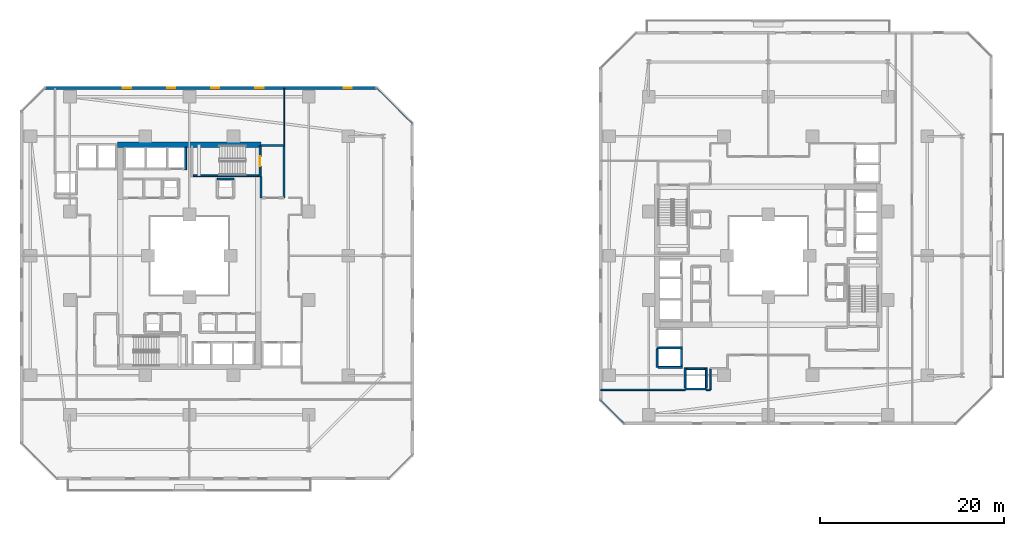
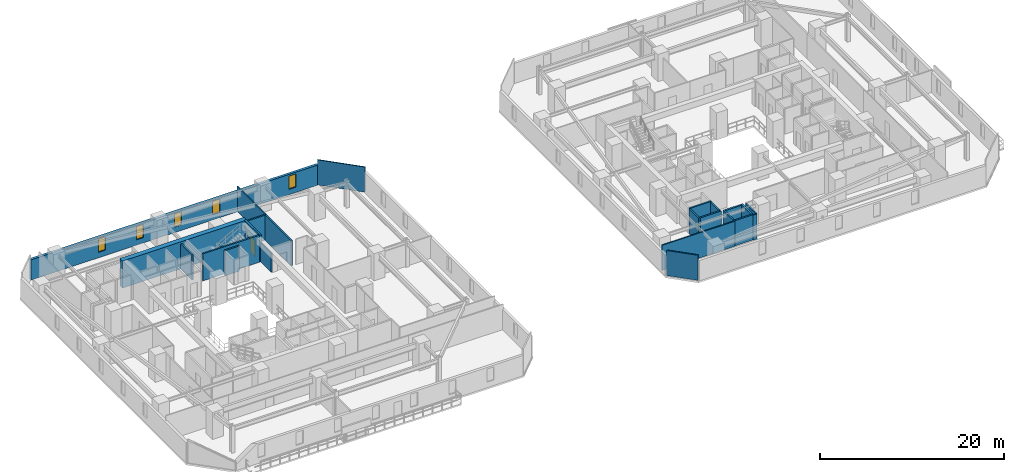
# One storey, part 23 of 34: 23 walls, 5 windows, 1 door, 6 openings.
"""IFC4 building model written with IfcOpenShell, lengths in metres."""

from ifc_helpers import new_model, si_unit, direction, frame, frame_2d, origin, place, context, subcontext, project, spatial, rectangle, extrude, material, layer, layer_set, type_object, element, fill, save


model = new_model("IFC4")

# Units and contexts
model_context = context("Model", 3, precision=1e-05, world=origin(), true_north=direction((0.0, 1.0)))
body_context = subcontext(model_context, "Body", "Model", "MODEL_VIEW")
ifc_project = project(units=[si_unit("LENGTHUNIT", "METRE"), si_unit("AREAUNIT", "SQUARE_METRE"), si_unit("VOLUMEUNIT", "CUBIC_METRE"), si_unit("PLANEANGLEUNIT", "RADIAN"), si_unit("MASSUNIT", "GRAM", prefix="KILO")], contexts=[model_context])

# Site, building, storey
site_placement = place(None, origin())
site = spatial("IfcSite", under=ifc_project, at=site_placement, CompositionType="ELEMENT")
building_placement = place(site_placement, origin())
building = spatial("IfcBuilding", under=site, at=building_placement, Name="Thornwick Lancets Civic Towers", CompositionType="ELEMENT")
storey_placement = place(building_placement, frame((0.0, 0.0, 53.699951171875)))
storey = spatial("IfcBuildingStorey", under=building, at=storey_placement, Name="L13", CompositionType="ELEMENT", Elevation=53.699951171875)

# Walls
ifc_material_1 = material(Name="Concrete blockwork C40/50", Category="masonry")
ifc_layer_1 = layer(ifc_material_1, 0.199951171875, Name="Concrete blockwork C40/50")
ifc_layer_set_1 = layer_set([ifc_layer_1], Name="Concrete blockwork C40/50")
wall_type_1 = type_object("IfcWallType", Name="WALL_COMP_200", PredefinedType="STANDARD", material=ifc_layer_set_1)
wall_1_placement = place(storey_placement, frame((79.050048828125, 15.030029296875, 0.0), z_axis=(0.0, 0.0, 1.0), x_axis=(0.0, 1.0, 0.0)))
element("IfcWall", 1, at=wall_1_placement, inside=storey, type_object=wall_type_1, Name="L13 Hoistway Front Wall PL-BM2", PredefinedType="STANDARD", context=body_context, shape_type="SweptSolid", body=[
    extrude(rectangle(XDim=1.7900390625, YDim=0.199951171875, at=frame_2d((0.89501953125, 0.0))), origin(), (0.0, 0.0, 1.0), 3.340087890625),
])
wall_2_placement = place(storey_placement, frame((79.6298828125, 14.699951171875, 0.0), z_axis=(0.0, 0.0, 1.0), x_axis=(1.0, 0.0, 0.0)))
element("IfcWall", 2, at=wall_2_placement, inside=storey, type_object=wall_type_1, Name="L13 Hoistway Front Wall PL-BM3", PredefinedType="STANDARD", context=body_context, shape_type="SweptSolid", body=[
    extrude(rectangle(XDim=1.940185546875, YDim=0.199951171875, at=frame_2d((0.97021484375, 0.0))), origin(), (0.0, 0.0, 1.0), 3.340087890625),
])
wall_3_placement = place(storey_placement, frame((25.10009765625, 36.35205078125, 0.0), z_axis=(0.0, 0.0, 1.0), x_axis=(0.0, 1.0, 0.0)))
element("IfcWall", 3, at=wall_3_placement, inside=storey, type_object=wall_type_1, Name="L13 Hoistway Shaft Wall FL-A2 E", PredefinedType="STANDARD", context=body_context, shape_type="SweptSolid", body=[
    extrude(rectangle(XDim=2.43603515625, YDim=0.199951171875, at=frame_2d((1.218017578125, 0.0))), origin(), (0.0, 0.0, 1.0), 3.340087890625),
])
wall_4_placement = place(storey_placement, frame((76.402099609375, 16.97509765625, 0.0), z_axis=(0.0, 0.0, 1.0), x_axis=(1.0, 0.0, 0.0)))
element("IfcWall", 4, at=wall_4_placement, inside=storey, type_object=wall_type_1, Name="L13 Hoistway Shaft Wall PL-BM1 S", PredefinedType="STANDARD", context=body_context, shape_type="SweptSolid", body=[
    extrude(rectangle(XDim=2.745849609375, YDim=0.199951171875, at=frame_2d((1.373046875, 0.0))), origin(), (0.0, 0.0, 1.0), 3.340087890625),
])
wall_5_placement = place(storey_placement, frame((76.39990234375, 14.85205078125, 0.0), z_axis=(0.0, 0.0, 1.0), x_axis=(0.0, 1.0, 0.0)))
element("IfcWall", 5, at=wall_5_placement, inside=storey, type_object=wall_type_1, Name="L13 Hoistway Shaft Wall PL-BM1 W", PredefinedType="STANDARD", context=body_context, shape_type="SweptSolid", body=[
    extrude(rectangle(XDim=2.015869140625, YDim=0.199951171875, at=frame_2d((1.0078125, 0.0))), origin(), (0.0, 0.0, 1.0), 3.340087890625),
])
wall_6_placement = place(storey_placement, frame((76.511962890625, 14.85009765625, 0.0), z_axis=(0.0, 0.0, 1.0), x_axis=(1.0, 0.0, 0.0)))
element("IfcWall", 6, at=wall_6_placement, inside=storey, type_object=wall_type_1, Name="L13 Hoistway Shaft Wall PL-BM2 S", PredefinedType="STANDARD", context=body_context, shape_type="SweptSolid", body=[
    extrude(rectangle(XDim=2.635986328125, YDim=0.199951171875, at=frame_2d((1.31787109375, 0.0))), origin(), (0.0, 0.0, 1.0), 3.340087890625),
])
wall_7_placement = place(storey_placement, frame((79.451904296875, 12.5, 0.0), z_axis=(0.0, 0.0, 1.0), x_axis=(1.0, 0.0, 0.0)))
element("IfcWall", 7, at=wall_7_placement, inside=storey, type_object=wall_type_1, Name="L13 Hoistway Shaft Wall PL-BM3 S", PredefinedType="STANDARD", context=body_context, shape_type="SweptSolid", body=[
    extrude(rectangle(XDim=2.296142578125, YDim=0.199951171875, at=frame_2d((1.14794921875, 0.0))), origin(), (0.0, 0.0, 1.0), 3.340087890625),
])
for number, where, z_axis, x_axis, name in (
    (8, (81.75, 12.612060546875, 0.0), (0.0, 0.0, 1.0), (0.0, 1.0, 0.0), "L13 Hoistway Shaft Wall PL-BM3 E"),
    (9, (79.449951171875, 12.612060546875, 0.0), (0.0, 0.0, 1.0), (0.0, 1.0, 0.0), "L13 Hoistway Shaft Wall PL-BM3 W"),
):
    element("IfcWall", number, at=place(storey_placement, frame(where, z_axis=z_axis, x_axis=x_axis)), inside=storey, type_object=wall_type_1, Name=name, PredefinedType="STANDARD", context=body_context, shape_type="SweptSolid", body=[
        extrude(rectangle(XDim=2.18603515625, YDim=0.199951171875, at=frame_2d((1.093017578125, 0.0))), origin(), (0.0, 0.0, 1.0), 3.340087890625),
    ])
wall_8_placement = place(storey_placement, frame((35.800048828125, 33.300048828125, 0.0), z_axis=(0.0, 0.0, 1.0), x_axis=(0.0, 1.0, 0.0)))
element("IfcWall", 10, at=wall_8_placement, inside=storey, type_object=wall_type_1, Name="L13 Partition L13-A-FFLOB2 E2", PredefinedType="STANDARD", context=body_context, shape_type="SweptSolid", body=[
    extrude(rectangle(XDim=5.699951171875, YDim=0.199951171875, at=frame_2d((2.85009765625, 0.0))), origin(), (0.0, 0.0, 1.0), 3.340087890625),
])
wall_9_placement = place(storey_placement, frame((35.800048828125, 39.0, 0.0), z_axis=(0.0, 0.0, 1.0), x_axis=(-1.0, 0.0, 0.0)))
element("IfcWall", 11, at=wall_9_placement, inside=storey, type_object=wall_type_1, Name="L13 Partition L13-A-FFLOB2 E3", PredefinedType="STANDARD", context=body_context, shape_type="SweptSolid", body=[
    extrude(rectangle(XDim=2.5, YDim=0.199951171875, at=frame_2d((1.25, 0.0))), origin(), (0.0, 0.0, 1.0), 3.340087890625),
])
wall_10_placement = place(storey_placement, frame((33.300048828125, 35.60009765625, 0.0), z_axis=(0.0, 0.0, 1.0), x_axis=(0.0, -1.0, 0.0)))
element("IfcWall", 12, at=wall_10_placement, inside=storey, type_object=wall_type_1, Name="L13 Partition L13-A-FFLOB2 E4", PredefinedType="STANDARD", context=body_context, shape_type="SweptSolid", body=[
    extrude(rectangle(XDim=2.300048828125, YDim=0.199951171875, at=frame_2d((1.14990234375, 0.0))), origin(), (0.0, 0.0, 1.0), 2.545166015625),
])
wall_11_placement = place(storey_placement, frame((30.35009765625, 35.35009765625, 0.0), z_axis=(0.0, 0.0, 1.0), x_axis=(-1.0, 0.0, 0.0)))
element("IfcWall", 13, at=wall_11_placement, inside=storey, type_object=wall_type_1, Name="L13 Partition L13-A-RISER2 E3", PredefinedType="STANDARD", context=body_context, shape_type="SweptSolid", body=[
    extrude(rectangle(XDim=1.800048828125, YDim=0.199951171875, at=frame_2d((0.89990234375, 0.0))), origin(), (0.0, 0.0, 1.0), 3.340087890625),
])
ifc_material_2 = material(Name="Concrete C60/75", Category="concrete")
ifc_layer_2 = layer(ifc_material_2, 0.60009765625, Name="Concrete C60/75")
ifc_layer_set_2 = layer_set([ifc_layer_2], Name="Concrete C60/75")
wall_type_2 = type_object("IfcWallType", Name="WALL_CORE_600", PredefinedType="SHEAR", material=ifc_layer_set_2)
wall_12_placement = place(storey_placement, frame((17.699951171875, 39.10009765625, 0.0), z_axis=(0.0, 0.0, 1.0), x_axis=(1.0, 0.0, 0.0)))
element("IfcWall", 14, at=wall_12_placement, inside=storey, type_object=wall_type_2, Name="L13 Split Core A2 Shear Wall N", PredefinedType="SHEAR", context=body_context, shape_type="SweptSolid", body=[
    extrude(rectangle(XDim=15.60009765625, YDim=0.60009765625, at=frame_2d((7.800048828125, 0.0))), origin(), (0.0, 0.0, 1.0), 3.60009765625),
])

# Wall, openings, windows
ifc_material_3 = material(Name="Insulated buff terracotta rainscreen on concrete C40/50", Category="masonry")
ifc_layer_3 = layer(ifc_material_3, 0.320068359375, Name="Insulated buff terracotta rainscreen on concrete C40/50")
ifc_layer_set_3 = layer_set([ifc_layer_3], Name="Insulated buff terracotta rainscreen on concrete C40/50")
wall_type_3 = type_object("IfcWallType", Name="WALL_EXT_TERRA_320", PredefinedType="STANDARD", material=ifc_layer_set_3)
wall_13_placement = place(storey_placement, frame((45.877197265625, 45.260498046875, 0.0), z_axis=(0.0, 0.0, 1.0), x_axis=(-0.999999992574, 0.000121872777, 0.0)))
wall_13 = element("IfcWall", 15, at=wall_13_placement, inside=storey, type_object=wall_type_3, Name="L13 Tower A Terracotta Facade Wall E4", PredefinedType="STANDARD", context=body_context, shape_type="SweptSolid", body=[
    extrude(rectangle(XDim=36.058349609375, YDim=0.320068359375, at=frame_2d((18.029296875, 0.0))), origin(), (0.0, 0.0, 1.0), 2.699951171875),
])
opening_1_placement = place(wall_13_placement, frame((2.699951171875, 0.0, 0.719970703125)))
opening_1 = element("IfcOpeningElement", 16, at=opening_1_placement, cuts=wall_13, Name="Opening WL-01", PredefinedType="OPENING", context=body_context, shape_type="SweptSolid", body=[
    extrude(rectangle(XDim=0.89990234375, YDim=1.75, at=frame_2d((0.449951171875, 0.875))), frame((0.0, 0.169921875, 0.0), z_axis=(0.0, -1.0, 0.0), x_axis=(1.0, 0.0, 0.0)), (0.0, 0.0, 1.0), 0.340087890625),
])
opening_2_placement = place(wall_13_placement, frame((12.300048828125, 0.0, 0.719970703125)))
opening_2 = element("IfcOpeningElement", 17, at=opening_2_placement, cuts=wall_13, Name="Opening WL-01", PredefinedType="OPENING", context=body_context, shape_type="SweptSolid", body=[
    extrude(rectangle(XDim=0.89990234375, YDim=1.75, at=frame_2d((0.449951171875, 0.875))), frame((0.0, 0.169921875, 0.0), z_axis=(0.0, -1.0, 0.0), x_axis=(1.0, 0.0, 0.0)), (0.0, 0.0, 1.0), 0.340087890625),
])
opening_3_placement = place(wall_13_placement, frame((17.10009765625, 0.0, 0.719970703125)))
opening_3 = element("IfcOpeningElement", 18, at=opening_3_placement, cuts=wall_13, Name="Opening WL-01", PredefinedType="OPENING", context=body_context, shape_type="SweptSolid", body=[
    extrude(rectangle(XDim=0.89990234375, YDim=1.75, at=frame_2d((0.449951171875, 0.875))), frame((0.0, 0.169921875, 0.0), z_axis=(0.0, -1.0, 0.0), x_axis=(1.0, 0.0, 0.0)), (0.0, 0.0, 1.0), 0.340087890625),
])
opening_4_placement = place(wall_13_placement, frame((21.89990234375, 0.0, 0.719970703125)))
opening_4 = element("IfcOpeningElement", 19, at=opening_4_placement, cuts=wall_13, Name="Opening WL-01", PredefinedType="OPENING", context=body_context, shape_type="SweptSolid", body=[
    extrude(rectangle(XDim=0.89990234375, YDim=1.75, at=frame_2d((0.449951171875, 0.875))), frame((0.0, 0.169921875, 0.0), z_axis=(0.0, -1.0, 0.0), x_axis=(1.0, 0.0, 0.0)), (0.0, 0.0, 1.0), 0.340087890625),
])
opening_5_placement = place(wall_13_placement, frame((26.699951171875, 0.0, 0.719970703125)))
opening_5 = element("IfcOpeningElement", 20, at=opening_5_placement, cuts=wall_13, Name="Opening WL-01", PredefinedType="OPENING", context=body_context, shape_type="SweptSolid", body=[
    extrude(rectangle(XDim=0.89990234375, YDim=1.75, at=frame_2d((0.449951171875, 0.875))), frame((0.0, 0.169921875, 0.0), z_axis=(0.0, -1.0, 0.0), x_axis=(1.0, 0.0, 0.0)), (0.0, 0.0, 1.0), 0.340087890625),
])
ifc_material_4 = material(Name="Clear low-e double glazing in bronze frame", Category="glass")
window_type = type_object("IfcWindowType", Name="WIN_LANCET_900", PartitioningType="SINGLE_PANEL", PredefinedType="WINDOW", material=ifc_material_4)
window_1_placement = place(opening_1_placement, origin())
window_1 = element("IfcWindow", 21, at=window_1_placement, inside=storey, type_object=window_type, Name="L13 Tower A Staggered Lancet Window E4-1", OverallHeight=1.75, OverallWidth=0.89990234375, PartitioningType="SINGLE_PANEL", PredefinedType="WINDOW", context=body_context, shape_type="SweptSolid", body=[
    extrude(rectangle(XDim=0.89990234375, YDim=1.75, at=frame_2d((0.449951171875, 0.875))), frame((0.0, 0.030029296875, 0.0), z_axis=(0.0, -1.0, 0.0), x_axis=(1.0, 0.0, 0.0)), (0.0, 0.0, 1.0), 0.06005859375),
])
fill(opening_1, window_1)
window_2_placement = place(opening_2_placement, origin())
window_2 = element("IfcWindow", 22, at=window_2_placement, inside=storey, type_object=window_type, Name="L13 Tower A Staggered Lancet Window E4-2", OverallHeight=1.75, OverallWidth=0.89990234375, PartitioningType="SINGLE_PANEL", PredefinedType="WINDOW", context=body_context, shape_type="SweptSolid", body=[
    extrude(rectangle(XDim=0.89990234375, YDim=1.75, at=frame_2d((0.449951171875, 0.875))), frame((0.0, 0.030029296875, 0.0), z_axis=(0.0, -1.0, 0.0), x_axis=(1.0, 0.0, 0.0)), (0.0, 0.0, 1.0), 0.06005859375),
])
fill(opening_2, window_2)
window_3_placement = place(opening_3_placement, origin())
window_3 = element("IfcWindow", 23, at=window_3_placement, inside=storey, type_object=window_type, Name="L13 Tower A Staggered Lancet Window E4-3", OverallHeight=1.75, OverallWidth=0.89990234375, PartitioningType="SINGLE_PANEL", PredefinedType="WINDOW", context=body_context, shape_type="SweptSolid", body=[
    extrude(rectangle(XDim=0.89990234375, YDim=1.75, at=frame_2d((0.449951171875, 0.875))), frame((0.0, 0.030029296875, 0.0), z_axis=(0.0, -1.0, 0.0), x_axis=(1.0, 0.0, 0.0)), (0.0, 0.0, 1.0), 0.06005859375),
])
fill(opening_3, window_3)
window_4_placement = place(opening_4_placement, origin())
window_4 = element("IfcWindow", 24, at=window_4_placement, inside=storey, type_object=window_type, Name="L13 Tower A Staggered Lancet Window E4-4", OverallHeight=1.75, OverallWidth=0.89990234375, PartitioningType="SINGLE_PANEL", PredefinedType="WINDOW", context=body_context, shape_type="SweptSolid", body=[
    extrude(rectangle(XDim=0.89990234375, YDim=1.75, at=frame_2d((0.449951171875, 0.875))), frame((0.0, 0.030029296875, 0.0), z_axis=(0.0, -1.0, 0.0), x_axis=(1.0, 0.0, 0.0)), (0.0, 0.0, 1.0), 0.06005859375),
])
fill(opening_4, window_4)
window_5_placement = place(opening_5_placement, origin())
window_5 = element("IfcWindow", 25, at=window_5_placement, inside=storey, type_object=window_type, Name="L13 Tower A Staggered Lancet Window E4-5", OverallHeight=1.75, OverallWidth=0.89990234375, PartitioningType="SINGLE_PANEL", PredefinedType="WINDOW", context=body_context, shape_type="SweptSolid", body=[
    extrude(rectangle(XDim=0.89990234375, YDim=1.75, at=frame_2d((0.449951171875, 0.875))), frame((0.0, 0.030029296875, 0.0), z_axis=(0.0, -1.0, 0.0), x_axis=(1.0, 0.0, 0.0)), (0.0, 0.0, 1.0), 0.06005859375),
])
fill(opening_5, window_5)

# Walls
ifc_material_5 = material(Name="Acoustic gypsum board partition")
ifc_layer_4 = layer(ifc_material_5, 0.1201171875, Name="Acoustic gypsum board partition")
ifc_layer_set_4 = layer_set([ifc_layer_4], Name="Acoustic gypsum board partition")
wall_type_4 = type_object("IfcWallType", Name="WALL_PART_120", PredefinedType="PARTITIONING", material=ifc_layer_set_4)
wall_14_placement = place(storey_placement, frame((35.85009765625, 39.0, 0.0), z_axis=(0.0, 0.0, 1.0), x_axis=(0.0, 1.0, 0.0)))
element("IfcWall", 26, at=wall_14_placement, inside=storey, type_object=wall_type_4, Name="L13 Partition L13-A-E2 E5", PredefinedType="PARTITIONING", context=body_context, shape_type="SweptSolid", body=[
    extrude(rectangle(XDim=6.219970703125, YDim=0.1201171875, at=frame_2d((3.10986328125, 0.0))), origin(), (0.0, 0.0, 1.0), 3.340087890625),
])
wall_15_placement = place(storey_placement, frame((45.91650390625, 45.219970703125, 0.0), z_axis=(0.0, 0.0, 1.0), x_axis=(0.707106781187, -0.707106781187, 0.0)))
element("IfcWall", 27, at=wall_15_placement, inside=storey, type_object=wall_type_4, Name="L13 Partition L13-A-E2 E7", PredefinedType="PARTITIONING", context=body_context, shape_type="SweptSolid", body=[
    extrude(rectangle(XDim=5.37890625, YDim=0.1201171875, at=frame_2d((2.689453125, 0.0))), origin(), (0.0, 0.0, 1.0), 3.340087890625),
])
ifc_material_6 = material(Name="Twin-stud acoustic gypsum board")
ifc_layer_5 = layer(ifc_material_6, 0.14990234375, Name="Twin-stud acoustic gypsum board")
ifc_layer_set_5 = layer_set([ifc_layer_5], Name="Twin-stud acoustic gypsum board")
wall_type_5 = type_object("IfcWallType", Name="WALL_PART_150", PredefinedType="PARTITIONING", material=ifc_layer_set_5)
wall_16_placement = place(storey_placement, frame((72.774658203125, 8.780029296875, 0.0), z_axis=(0.0, 0.0, 1.0), x_axis=(-0.707106781187, 0.707106781187, 0.0)))
element("IfcWall", 28, at=wall_16_placement, inside=storey, type_object=wall_type_5, Name="L13 Partition L13-B-W2 E7", PredefinedType="PARTITIONING", context=body_context, shape_type="SweptSolid", body=[
    extrude(rectangle(XDim=3.52783203125, YDim=0.14990234375, at=frame_2d((1.763916015625, 0.0))), origin(), (0.0, 0.0, 1.0), 3.340087890625),
])
wall_17_placement = place(storey_placement, frame((70.280029296875, 12.39990234375, 0.0), z_axis=(0.0, 0.0, 1.0), x_axis=(1.0, 0.0, 0.0)))
element("IfcWall", 29, at=wall_17_placement, inside=storey, type_object=wall_type_5, Name="L13 Partition L13-B-W2 E9", PredefinedType="PARTITIONING", context=body_context, shape_type="SweptSolid", body=[
    extrude(rectangle(XDim=9.171875, YDim=0.14990234375, at=frame_2d((4.5859375, 0.0))), origin(), (0.0, 0.0, 1.0), 3.340087890625),
])
wall_18_placement = place(storey_placement, frame((81.748046875, 12.39990234375, 0.0), z_axis=(0.0, 0.0, 1.0), x_axis=(1.0, 0.0, 0.0)))
element("IfcWall", 30, at=wall_18_placement, inside=storey, type_object=wall_type_5, Name="L13 Partition L13-B-W2 E9", PredefinedType="PARTITIONING", context=body_context, shape_type="SweptSolid", body=[
    extrude(rectangle(XDim=0.451904296875, YDim=0.14990234375, at=frame_2d((0.22607421875, 0.0))), origin(), (0.0, 0.0, 1.0), 3.340087890625),
])
wall_19_placement = place(storey_placement, frame((82.199951171875, 12.39990234375, 0.0), z_axis=(0.0, 0.0, 1.0), x_axis=(0.0, 1.0, 0.0)))
element("IfcWall", 31, at=wall_19_placement, inside=storey, type_object=wall_type_5, Name="L13 Partition L13-B-W2 E10", PredefinedType="PARTITIONING", context=body_context, shape_type="SweptSolid", body=[
    extrude(rectangle(XDim=2.300048828125, YDim=0.14990234375, at=frame_2d((1.14990234375, 0.0))), origin(), (0.0, 0.0, 1.0), 3.340087890625),
])

# Wall, opening, door
ifc_material_7 = material(Name="Concrete C40/50", Category="concrete")
ifc_layer_6 = layer(ifc_material_7, 0.199951171875, Name="Concrete C40/50")
ifc_layer_set_6 = layer_set([ifc_layer_6], Name="Concrete C40/50")
wall_type_6 = type_object("IfcWallType", Name="WALL_SHAFT_200", PredefinedType="SHEAR", material=ifc_layer_set_6)
wall_20_placement = place(storey_placement, frame((33.199951171875, 38.949951171875, 0.0), z_axis=(0.0, 0.0, 1.0), x_axis=(0.0, -1.0, 0.0)))
wall_20 = element("IfcWall", 32, at=wall_20_placement, inside=storey, type_object=wall_type_6, Name="L13 ST-A2 Fire Stair Core Wall NEAR", PredefinedType="SHEAR", context=body_context, shape_type="SweptSolid", body=[
    extrude(rectangle(XDim=3.349853515625, YDim=0.199951171875, at=frame_2d((1.6748046875, 0.0))), origin(), (0.0, 0.0, 1.0), 3.60009765625),
])
opening_6_placement = place(wall_20_placement, frame((1.125, 0.0, 0.0)))
opening_6 = element("IfcOpeningElement", 33, at=opening_6_placement, cuts=wall_20, Name="Opening D-ST-A2-L13", PredefinedType="OPENING", context=body_context, shape_type="SweptSolid", body=[
    extrude(rectangle(XDim=1.10009765625, YDim=2.10009765625, at=frame_2d((0.550048828125, 1.050048828125))), frame((0.0, 0.10986328125, 0.0), z_axis=(0.0, -1.0, 0.0), x_axis=(1.0, 0.0, 0.0)), (0.0, 0.0, 1.0), 0.219970703125),
])
ifc_material_8 = material(Name="Fire-resisting steel and hardwood", Category="steel")
door_type = type_object("IfcDoorType", Name="DOOR_STAIR_FD60", OperationType="NOTDEFINED", PredefinedType="DOOR", material=ifc_material_8)
door_placement = place(opening_6_placement, origin())
door = element("IfcDoor", 34, at=door_placement, inside=storey, type_object=door_type, Name="L13 ST-A2 Exit Stair Door", OperationType="SINGLE_SWING_LEFT", OverallHeight=2.10009765625, OverallWidth=1.10009765625, PredefinedType="DOOR", context=body_context, shape_type="SweptSolid", body=[
    extrude(rectangle(XDim=1.10009765625, YDim=2.10009765625, at=frame_2d((0.550048828125, 1.050048828125))), frame((0.0, 0.02490234375, 0.0), z_axis=(0.0, -1.0, 0.0), x_axis=(1.0, 0.0, 0.0)), (0.0, 0.0, 1.0), 0.050048828125),
])
fill(opening_6, door)

# Wall
wall_21_placement = place(storey_placement, frame((25.949951171875, 35.702880859375, 0.0), z_axis=(0.0, 0.0, 1.0), x_axis=(1.0, 0.0, 0.0)))
element("IfcWall", 35, at=wall_21_placement, inside=storey, type_object=wall_type_6, Name="L13 ST-A2 Fire Stair Core Wall RIGHT", PredefinedType="SHEAR", context=body_context, shape_type="SweptSolid", body=[
    extrude(rectangle(XDim=7.10009765625, YDim=0.199951171875, at=frame_2d((3.550048828125, 0.0))), origin(), (0.0, 0.0, 1.0), 3.60009765625),
])

save(model, "model.ifc")
